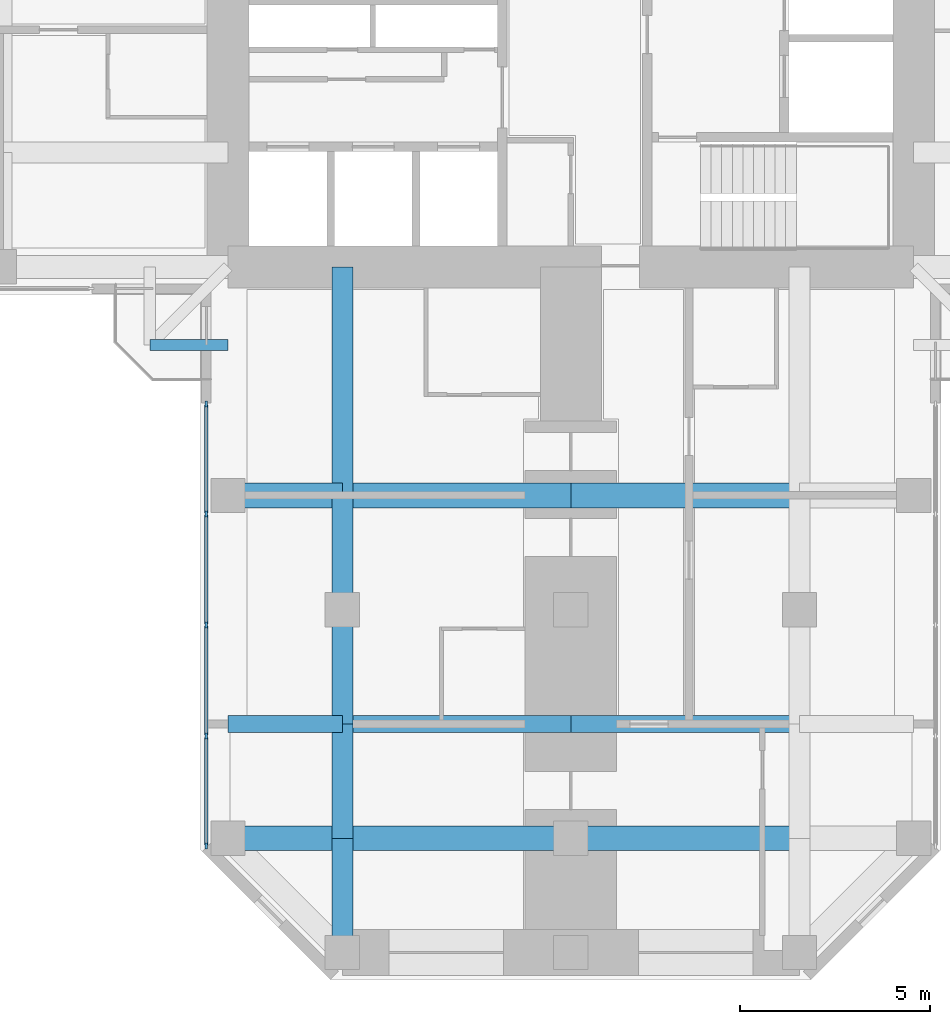
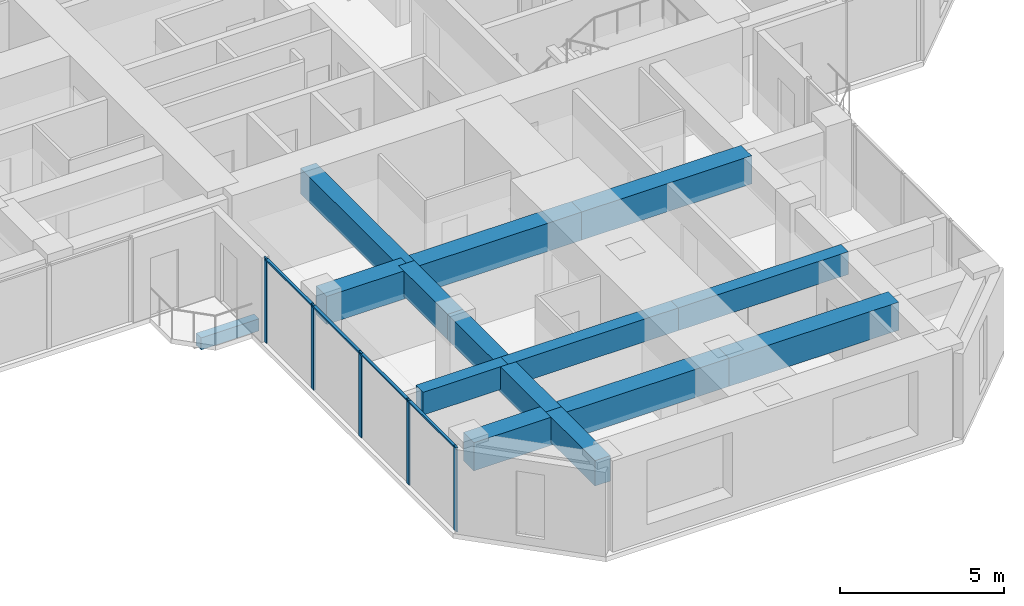
# One storey, part 2 of 14: 15 beams, 9 members, 1 element without a shape of its own.
"""IFC4 building model written with IfcOpenShell, lengths in metres."""

from ifc_helpers import new_model, si_unit, direction, frame, origin, origin_2d, place, context, subcontext, project, spatial, rectangle, extrude, material, material_profile, profile_set, type_object, element, aggregate, save


model = new_model("IFC4")

# Units and contexts
model_context = context("Model", 3, precision=1e-05, world=origin(), true_north=direction((0.0, 1.0)))
body_context = subcontext(model_context, "Body", "Model", "MODEL_VIEW")
ifc_project = project(units=[si_unit("LENGTHUNIT", "METRE"), si_unit("AREAUNIT", "SQUARE_METRE"), si_unit("VOLUMEUNIT", "CUBIC_METRE"), si_unit("PLANEANGLEUNIT", "RADIAN"), si_unit("MASSUNIT", "GRAM", prefix="KILO")], contexts=[model_context])

# Site, building, storey
site_placement = place(None, origin())
site = spatial("IfcSite", under=ifc_project, at=site_placement, CompositionType="ELEMENT")
building_placement = place(site_placement, origin())
building = spatial("IfcBuilding", under=site, at=building_placement, Name="Torre Cruceta", CompositionType="ELEMENT")
storey_placement = place(building_placement, frame((0.0, 0.0, 213.699951171875)))
storey = spatial("IfcBuildingStorey", under=building, at=storey_placement, Name="L54", CompositionType="ELEMENT", Elevation=213.699951171875)

# Beams
ifc_material_1 = material(Name="Concrete G60 (fck 60 MPa)", Category="concrete")
ifc_material_profile_1 = material_profile(ifc_material_1, rectangle(XDim=0.300048828125, YDim=0.449951171875, at=origin_2d()), Name="RC 300X450")
ifc_profile_set_1 = profile_set([ifc_material_profile_1], Name="Concrete G60 (fck 60 MPa)")
beam_type_1 = type_object("IfcBeamType", Name="BALCONY CANTILEVER BEAM RC 300X450", PredefinedType="BEAM", material=ifc_profile_set_1)
beam_1_placement = place(storey_placement, frame((-9.0, -11.050537109375, -0.405029296875), z_axis=(-1.0, 0.0, 0.0), x_axis=(0.0, -1.0, 0.0)))
element("IfcBeam", 1, at=beam_1_placement, inside=storey, type_object=beam_type_1, Name="BB1 balcony edge beam L54 W-Y", PredefinedType="BEAM", context=body_context, shape_type="SweptSolid", body=[
    extrude(rectangle(XDim=0.300048828125, YDim=0.449951171875, at=origin_2d()), origin(), (0.0, 0.0, 1.0), 2.050537109375),
])
ifc_material_2 = material(Name="Concrete G60 (fck 60 MPa)", Category="concrete")
ifc_material_profile_2 = material_profile(ifc_material_2, rectangle(XDim=0.550048828125, YDim=0.949951171875, at=origin_2d()), Name="RC 550X950")
ifc_profile_set_2 = profile_set([ifc_material_profile_2], Name="Concrete G60 (fck 60 MPa)")
beam_type_2 = type_object("IfcBeamType", Name="COLUMN LINE BEAM RC 550X950", PredefinedType="BEAM", material=ifc_profile_set_2)
beam_2_placement = place(storey_placement, frame((-6.0, -9.0, 2.675048828125), z_axis=(0.0, -1.0, 0.0), x_axis=(1.0, 0.0, 0.0)))
element("IfcBeam", 2, at=beam_2_placement, inside=storey, type_object=beam_type_2, Name="LB3 L54 S col- 1", PredefinedType="BEAM", context=body_context, shape_type="SweptSolid", body=[
    extrude(rectangle(XDim=0.550048828125, YDim=0.949951171875, at=origin_2d()), origin(), (0.0, 0.0, 1.0), 6.0),
])
for number, where, z_axis, x_axis, name in (
    (3, (-6.0, -15.0, 2.675048828125), (0.0, -1.0, 0.0), (1.0, 0.0, 0.0), "LB3 L54 S col- 2"),
    (4, (-6.0, -18.0, 2.675048828125), (0.0, -1.0, 0.0), (1.0, 0.0, 0.0), "LB3 L54 S col- 3"),
    (5, (-6.0, -21.0, 2.675048828125), (0.0, -1.0, 0.0), (1.0, 0.0, 0.0), "LB3 L54 S col- 4"),
    (6, (-6.0, -24.0, 2.675048828125), (0.0, -1.0, 0.0), (1.0, 0.0, 0.0), "LB3 L54 S col- 5"),
):
    element("IfcBeam", number, at=place(storey_placement, frame(where, z_axis=z_axis, x_axis=x_axis)), inside=storey, type_object=beam_type_2, Name=name, PredefinedType="BEAM", context=body_context, shape_type="SweptSolid", body=[
        extrude(rectangle(XDim=0.550048828125, YDim=0.949951171875, at=origin_2d()), origin(), (0.0, 0.0, 1.0), 3.0),
    ])
ifc_material_3 = material(Name="Concrete G60 (fck 60 MPa)", Category="concrete")
ifc_material_profile_3 = material_profile(ifc_material_3, rectangle(XDim=0.64990234375, YDim=1.050048828125, at=origin_2d()), Name="RC 650X1050")
ifc_profile_set_3 = profile_set([ifc_material_profile_3], Name="Concrete G60 (fck 60 MPa)")
beam_type_3 = type_object("IfcBeamType", Name="CROSS BEAM RC 650X1050", PredefinedType="BEAM", material=ifc_profile_set_3)
beam_3_placement = place(storey_placement, frame((-9.0, -15.0, 2.625), z_axis=(1.0, 0.0, 0.0), x_axis=(0.0, 1.0, 0.0)))
element("IfcBeam", 7, at=beam_3_placement, inside=storey, type_object=beam_type_3, Name="GB3 L54 S cross15 1", PredefinedType="BEAM", context=body_context, shape_type="SweptSolid", body=[
    extrude(rectangle(XDim=0.64990234375, YDim=1.050048828125, at=origin_2d()), origin(), (0.0, 0.0, 1.0), 3.0),
])
for number, where, z_axis, x_axis, name in (
    (8, (-6.0, -15.0, 2.625), (1.0, 0.0, 0.0), (0.0, 1.0, 0.0), "GB3 L54 S cross15 2"),
    (9, (0.0, -15.0, 2.625), (1.0, 0.0, 0.0), (0.0, 1.0, 0.0), "GB3 L54 S cross15 3"),
):
    element("IfcBeam", number, at=place(storey_placement, frame(where, z_axis=z_axis, x_axis=x_axis)), inside=storey, type_object=beam_type_3, Name=name, PredefinedType="BEAM", context=body_context, shape_type="SweptSolid", body=[
        extrude(rectangle(XDim=0.64990234375, YDim=1.050048828125, at=origin_2d()), origin(), (0.0, 0.0, 1.0), 6.0),
    ])
beam_4_placement = place(storey_placement, frame((-9.0, -24.0, 2.625), z_axis=(1.0, 0.0, 0.0), x_axis=(0.0, 1.0, 0.0)))
element("IfcBeam", 10, at=beam_4_placement, inside=storey, type_object=beam_type_3, Name="GB3 L54 S cross24 1", PredefinedType="BEAM", context=body_context, shape_type="SweptSolid", body=[
    extrude(rectangle(XDim=0.64990234375, YDim=1.050048828125, at=origin_2d()), origin(), (0.0, 0.0, 1.0), 3.0),
])
for number, where, z_axis, x_axis, name in (
    (11, (-6.0, -24.0, 2.625), (1.0, 0.0, 0.0), (0.0, 1.0, 0.0), "GB3 L54 S cross24 2"),
    (12, (0.0, -24.0, 2.625), (1.0, 0.0, 0.0), (0.0, 1.0, 0.0), "GB3 L54 S cross24 3"),
):
    element("IfcBeam", number, at=place(storey_placement, frame(where, z_axis=z_axis, x_axis=x_axis)), inside=storey, type_object=beam_type_3, Name=name, PredefinedType="BEAM", context=body_context, shape_type="SweptSolid", body=[
        extrude(rectangle(XDim=0.64990234375, YDim=1.050048828125, at=origin_2d()), origin(), (0.0, 0.0, 1.0), 6.0),
    ])

# Curtain wall, members
ifc_material_4 = material(Name="Aluminium unitised curtain wall", Category="aluminium")
curtain_wall_type = type_object("IfcCurtainWallType", Name="CURTAIN WALL CW-C CO-LIVING", PredefinedType="USERDEFINED", material=ifc_material_4)
curtain_wall_placement = place(storey_placement, origin())
curtain_wall = element("IfcCurtainWall", 13, at=curtain_wall_placement, inside=storey, type_object=curtain_wall_type, Name="CW-C L54 S side 15", ObjectType="UNITISED", PredefinedType="USERDEFINED")
ifc_material_5 = material(Name="Aluminium mullion", Category="aluminium")
ifc_material_profile_4 = material_profile(ifc_material_5, rectangle(XDim=0.06005859375, YDim=0.159912109375, at=origin_2d()), Name="AL 60X160")
ifc_profile_set_4 = profile_set([ifc_material_profile_4], Name="Aluminium mullion")
member_type_1 = type_object("IfcMemberType", Name="CW-C MULLION 60X160", PredefinedType="MULLION", material=ifc_profile_set_4)
member_1_placement = place(storey_placement, frame((-9.570068359375, -12.60009765625, 0.0), z_axis=(0.0, 0.0, 1.0), x_axis=(1.0, 0.0, 0.0)))
member_1 = element("IfcMember", 14, at=member_1_placement, type_object=member_type_1, Name="CW-C mullion 1", PredefinedType="MULLION", context=body_context, shape_type="SweptSolid", body=[
    extrude(rectangle(XDim=0.06005859375, YDim=0.159912109375, at=origin_2d()), origin(), (0.0, 0.0, 1.0), 3.150146484375),
])
member_2_placement = place(storey_placement, frame((-9.570068359375, -15.486572265625, 0.0), z_axis=(0.0, 0.0, 1.0), x_axis=(1.0, 0.0, 0.0)))
member_2 = element("IfcMember", 15, at=member_2_placement, type_object=member_type_1, Name="CW-C mullion 2", PredefinedType="MULLION", context=body_context, shape_type="SweptSolid", body=[
    extrude(rectangle(XDim=0.06005859375, YDim=0.159912109375, at=origin_2d()), origin(), (0.0, 0.0, 1.0), 3.150146484375),
])
member_3_placement = place(storey_placement, frame((-9.570068359375, -18.403076171875, 0.0), z_axis=(0.0, 0.0, 1.0), x_axis=(1.0, 0.0, 0.0)))
member_3 = element("IfcMember", 16, at=member_3_placement, type_object=member_type_1, Name="CW-C mullion 3", PredefinedType="MULLION", context=body_context, shape_type="SweptSolid", body=[
    extrude(rectangle(XDim=0.06005859375, YDim=0.159912109375, at=origin_2d()), origin(), (0.0, 0.0, 1.0), 3.150146484375),
])
member_4_placement = place(storey_placement, frame((-9.570068359375, -21.319580078125, 0.0), z_axis=(0.0, 0.0, 1.0), x_axis=(1.0, 0.0, 0.0)))
member_4 = element("IfcMember", 17, at=member_4_placement, type_object=member_type_1, Name="CW-C mullion 4", PredefinedType="MULLION", context=body_context, shape_type="SweptSolid", body=[
    extrude(rectangle(XDim=0.06005859375, YDim=0.159912109375, at=origin_2d()), origin(), (0.0, 0.0, 1.0), 3.150146484375),
])
member_5_placement = place(storey_placement, frame((-9.570068359375, -24.2060546875, 0.0), z_axis=(0.0, 0.0, 1.0), x_axis=(1.0, 0.0, 0.0)))
member_5 = element("IfcMember", 18, at=member_5_placement, type_object=member_type_1, Name="CW-C mullion 5", PredefinedType="MULLION", context=body_context, shape_type="SweptSolid", body=[
    extrude(rectangle(XDim=0.06005859375, YDim=0.159912109375, at=origin_2d()), origin(), (0.0, 0.0, 1.0), 3.150146484375),
])
ifc_material_6 = material(Name="Aluminium transom", Category="aluminium")
ifc_material_profile_5 = material_profile(ifc_material_6, rectangle(XDim=0.10009765625, YDim=0.06005859375, at=origin_2d()), Name="AL 100X60")
ifc_profile_set_5 = profile_set([ifc_material_profile_5], Name="Aluminium transom")
member_type_2 = type_object("IfcMemberType", Name="CW-C TRANSOM 60X100", PredefinedType="USERDEFINED", material=ifc_profile_set_5)
member_6_placement = place(storey_placement, frame((-9.570068359375, -12.6298828125, 3.1201171875), z_axis=(0.0, -1.0, 0.0), x_axis=(1.0, 0.0, 0.0)))
member_6 = element("IfcMember", 19, at=member_6_placement, type_object=member_type_2, Name="CW-C transom 1", ObjectType="TRANSOM", PredefinedType="USERDEFINED", context=body_context, shape_type="SweptSolid", body=[
    extrude(rectangle(XDim=0.10009765625, YDim=0.06005859375, at=origin_2d()), origin(), (0.0, 0.0, 1.0), 2.82666015625),
])
member_7_placement = place(storey_placement, frame((-9.570068359375, -15.5166015625, 3.1201171875), z_axis=(0.0, -1.0, 0.0), x_axis=(1.0, 0.0, 0.0)))
member_7 = element("IfcMember", 20, at=member_7_placement, type_object=member_type_2, Name="CW-C transom 2", ObjectType="TRANSOM", PredefinedType="USERDEFINED", context=body_context, shape_type="SweptSolid", body=[
    extrude(rectangle(XDim=0.10009765625, YDim=0.06005859375, at=origin_2d()), origin(), (0.0, 0.0, 1.0), 2.8564453125),
])
member_8_placement = place(storey_placement, frame((-9.570068359375, -18.43310546875, 3.1201171875), z_axis=(0.0, -1.0, 0.0), x_axis=(1.0, 0.0, 0.0)))
member_8 = element("IfcMember", 21, at=member_8_placement, type_object=member_type_2, Name="CW-C transom 3", ObjectType="TRANSOM", PredefinedType="USERDEFINED", context=body_context, shape_type="SweptSolid", body=[
    extrude(rectangle(XDim=0.10009765625, YDim=0.06005859375, at=origin_2d()), origin(), (0.0, 0.0, 1.0), 2.8564453125),
])
member_9_placement = place(storey_placement, frame((-9.570068359375, -21.349609375, 3.1201171875), z_axis=(0.0, -1.0, 0.0), x_axis=(1.0, 0.0, 0.0)))
member_9 = element("IfcMember", 22, at=member_9_placement, type_object=member_type_2, Name="CW-C transom 4", ObjectType="TRANSOM", PredefinedType="USERDEFINED", context=body_context, shape_type="SweptSolid", body=[
    extrude(rectangle(XDim=0.10009765625, YDim=0.06005859375, at=origin_2d()), origin(), (0.0, 0.0, 1.0), 2.826416015625),
])
aggregate(curtain_wall, [member_1, member_2, member_3, member_4, member_5, member_6, member_7, member_8, member_9])

# Beams
ifc_material_7 = material(Name="Concrete G60 (fck 60 MPa)", Category="concrete")
ifc_material_profile_6 = material_profile(ifc_material_7, rectangle(XDim=0.449951171875, YDim=0.85009765625, at=origin_2d()), Name="RC 450X850")
ifc_profile_set_6 = profile_set([ifc_material_profile_6], Name="Concrete G60 (fck 60 MPa)")
beam_type_4 = type_object("IfcBeamType", Name="SECONDARY BEAM RC 450X850", PredefinedType="JOIST", material=ifc_profile_set_6)
beam_5_placement = place(storey_placement, frame((-9.0, -21.0, 2.72509765625), z_axis=(1.0, 0.0, 0.0), x_axis=(0.0, 1.0, 0.0)))
element("IfcBeam", 23, at=beam_5_placement, inside=storey, type_object=beam_type_4, Name="JB4 L54 S sec21 1", PredefinedType="JOIST", context=body_context, shape_type="SweptSolid", body=[
    extrude(rectangle(XDim=0.449951171875, YDim=0.85009765625, at=origin_2d()), origin(), (0.0, 0.0, 1.0), 3.0),
])
for number, where, z_axis, x_axis, name in (
    (24, (-6.0, -21.0, 2.72509765625), (1.0, 0.0, 0.0), (0.0, 1.0, 0.0), "JB4 L54 S sec21 2"),
    (25, (0.0, -21.0, 2.72509765625), (1.0, 0.0, 0.0), (0.0, 1.0, 0.0), "JB4 L54 S sec21 3"),
):
    element("IfcBeam", number, at=place(storey_placement, frame(where, z_axis=z_axis, x_axis=x_axis)), inside=storey, type_object=beam_type_4, Name=name, PredefinedType="JOIST", context=body_context, shape_type="SweptSolid", body=[
        extrude(rectangle(XDim=0.449951171875, YDim=0.85009765625, at=origin_2d()), origin(), (0.0, 0.0, 1.0), 6.0),
    ])

save(model, "model.ifc")
